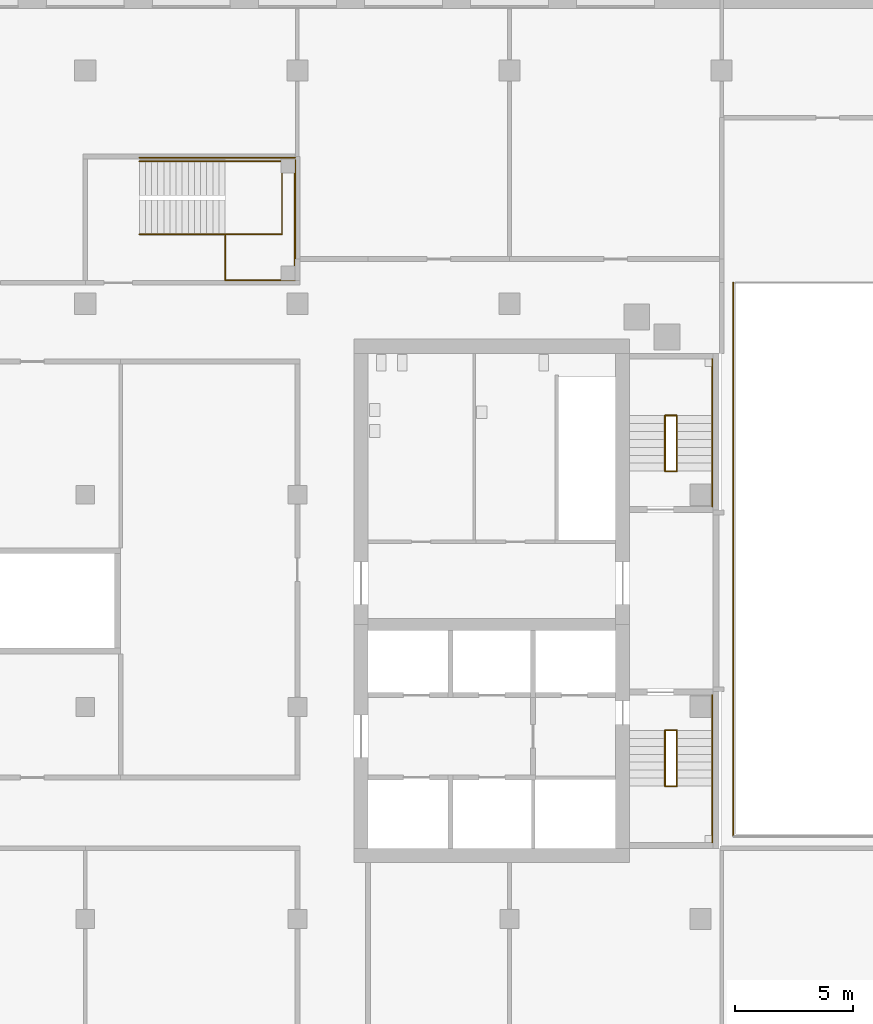
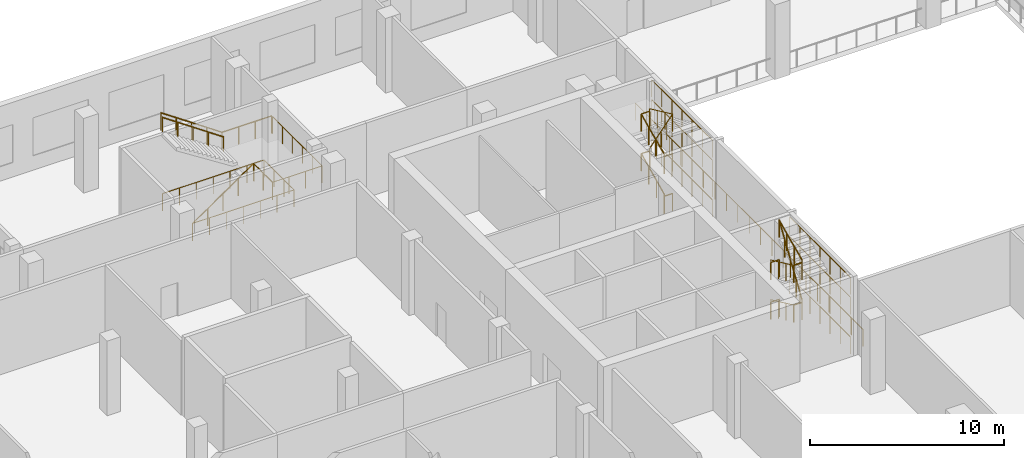
# One storey, part 18 of 21: 31 railings.
"""IFC4 building model written with IfcOpenShell, lengths in metres."""

from ifc_helpers import new_model, si_unit, direction, frame, origin, origin_2d, place, context, subcontext, project, spatial, circle, extrude, material, type_object, element, save


model = new_model("IFC4")

# Units and contexts
model_context = context("Model", 3, precision=1e-05, world=origin(), true_north=direction((0.0, 1.0)))
body_context = subcontext(model_context, "Body", "Model", "MODEL_VIEW")
ifc_project = project(units=[si_unit("LENGTHUNIT", "METRE"), si_unit("AREAUNIT", "SQUARE_METRE"), si_unit("VOLUMEUNIT", "CUBIC_METRE"), si_unit("PLANEANGLEUNIT", "RADIAN"), si_unit("MASSUNIT", "GRAM", prefix="KILO")], contexts=[model_context])

# Site, building, storey
site_placement = place(None, origin())
site = spatial("IfcSite", under=ifc_project, at=site_placement, CompositionType="ELEMENT")
building_placement = place(site_placement, origin())
building = spatial("IfcBuilding", under=site, at=building_placement, Name="Cinnabar Reach Civic Tower", CompositionType="ELEMENT")
storey_placement = place(building_placement, frame((0.0, 0.0, 16.0)))
storey = spatial("IfcBuildingStorey", under=building, at=storey_placement, Name="L03", CompositionType="ELEMENT", Elevation=16.0)

# Railings
ifc_material_1 = material(Name="Stainless steel and glass", Category="steel")
railing_type_1 = type_object("IfcRailingType", Name="Podium guard 1100", PredefinedType="GUARDRAIL", material=ifc_material_1)
railing_1_placement = place(storey_placement, frame((-51.7, 47.05, 0.0)))
element("IfcRailing", 1, at=railing_1_placement, inside=storey, type_object=railing_type_1, Name="Stair guard PS7 L03", PredefinedType="GUARDRAIL", context=body_context, shape_type="SweptSolid", body=[
    extrude(circle(Radius=0.024, at=origin_2d()), frame((0.0, 0.0, 1.076), z_axis=(0.824306135323, 0.0, 0.566144323711), x_axis=(0.0, 1.0, 0.0)), (0.0, 0.0, 1.0), 4.4158),
    extrude(circle(Radius=0.021, at=origin_2d()), origin(), (0.0, 0.0, 1.0), 1.052),
    extrude(circle(Radius=0.021, at=origin_2d()), frame((0.91, 0.0, 0.625)), (0.0, 0.0, 1.0), 1.052),
    extrude(circle(Radius=0.021, at=origin_2d()), frame((1.82, 0.0, 1.25)), (0.0, 0.0, 1.0), 1.052),
    extrude(circle(Radius=0.021, at=origin_2d()), frame((2.73, 0.0, 1.875)), (0.0, 0.0, 1.0), 1.052),
    extrude(circle(Radius=0.021, at=origin_2d()), frame((3.64, 0.0, 2.5)), (0.0, 0.0, 1.0), 1.052),
])
railing_2_placement = place(storey_placement, frame((-48.06, 45.1, 2.5)))
element("IfcRailing", 2, at=railing_2_placement, inside=storey, type_object=railing_type_1, Name="Landing guard PS7 L03", PredefinedType="GUARDRAIL", context=body_context, shape_type="SweptSolid", body=[
    extrude(circle(Radius=0.024, at=origin_2d()), frame((0.0, 0.0, 1.076), z_axis=(1.0, 0.0, 0.0), x_axis=(0.0, 1.0, 0.0)), (0.0, 0.0, 1.0), 2.96),
    extrude(circle(Radius=0.024, at=origin_2d()), frame((2.96, 0.0, 1.076), z_axis=(0.0, 1.0, 0.0), x_axis=(-1.0, 0.0, 0.0)), (0.0, 0.0, 1.0), 5.1),
    extrude(circle(Radius=0.021, at=origin_2d()), origin(), (0.0, 0.0, 1.0), 1.052),
    extrude(circle(Radius=0.021, at=origin_2d()), frame((0.9867, 0.0, 0.0)), (0.0, 0.0, 1.0), 1.052),
    extrude(circle(Radius=0.021, at=origin_2d()), frame((1.9733, 0.0, 0.0)), (0.0, 0.0, 1.0), 1.052),
    extrude(circle(Radius=0.021, at=origin_2d()), frame((2.96, 0.0, 0.0)), (0.0, 0.0, 1.0), 1.052),
    extrude(circle(Radius=0.021, at=origin_2d()), frame((2.96, 1.02, 0.0)), (0.0, 0.0, 1.0), 1.052),
    extrude(circle(Radius=0.021, at=origin_2d()), frame((2.96, 2.04, 0.0)), (0.0, 0.0, 1.0), 1.052),
    extrude(circle(Radius=0.021, at=origin_2d()), frame((2.96, 3.06, 0.0)), (0.0, 0.0, 1.0), 1.052),
    extrude(circle(Radius=0.021, at=origin_2d()), frame((2.96, 4.08, 0.0)), (0.0, 0.0, 1.0), 1.052),
    extrude(circle(Radius=0.021, at=origin_2d()), frame((2.96, 5.1, 0.0)), (0.0, 0.0, 1.0), 1.052),
])
railing_3_placement = place(storey_placement, frame((-48.06, 45.1, 2.5)))
element("IfcRailing", 3, at=railing_3_placement, inside=storey, type_object=railing_type_1, Name="Landing guard PS7 L03 inner", PredefinedType="GUARDRAIL", context=body_context, shape_type="SweptSolid", body=[
    extrude(circle(Radius=0.024, at=origin_2d()), frame((0.0, 0.0, 1.076), z_axis=(0.0, 1.0, 0.0), x_axis=(-1.0, 0.0, 0.0)), (0.0, 0.0, 1.0), 1.9),
    extrude(circle(Radius=0.021, at=origin_2d()), origin(), (0.0, 0.0, 1.0), 1.052),
    extrude(circle(Radius=0.021, at=origin_2d()), frame((0.0, 0.95, 0.0)), (0.0, 0.0, 1.0), 1.052),
    extrude(circle(Radius=0.021, at=origin_2d()), frame((0.0, 1.9, 0.0)), (0.0, 0.0, 1.0), 1.052),
])
railing_4_placement = place(storey_placement, frame((-45.1, 50.3, 2.5)))
element("IfcRailing", 4, at=railing_4_placement, inside=storey, type_object=railing_type_1, Name="Stair wall side guard PS7 L03", PredefinedType="GUARDRAIL", context=body_context, shape_type="SweptSolid", body=[
    extrude(circle(Radius=0.024, at=origin_2d()), frame((0.0, 0.0, 1.076), z_axis=(-1.0, 0.0, 0.0), x_axis=(0.0, -1.0, 0.0)), (0.0, 0.0, 1.0), 2.96),
    extrude(circle(Radius=0.024, at=origin_2d()), frame((-2.96, 0.0, 1.076), z_axis=(-0.824306135323, 0.0, 0.566144323711), x_axis=(0.0, -1.0, 0.0)), (0.0, 0.0, 1.0), 4.4158),
    extrude(circle(Radius=0.021, at=origin_2d()), origin(), (0.0, 0.0, 1.0), 1.052),
    extrude(circle(Radius=0.021, at=origin_2d()), frame((-0.9867, 0.0, 0.0)), (0.0, 0.0, 1.0), 1.052),
    extrude(circle(Radius=0.021, at=origin_2d()), frame((-1.9733, 0.0, 0.0)), (0.0, 0.0, 1.0), 1.052),
    extrude(circle(Radius=0.021, at=origin_2d()), frame((-2.96, 0.0, 0.0)), (0.0, 0.0, 1.0), 1.052),
    extrude(circle(Radius=0.021, at=origin_2d()), frame((-3.87, 0.0, 0.625)), (0.0, 0.0, 1.0), 1.052),
    extrude(circle(Radius=0.021, at=origin_2d()), frame((-4.78, 0.0, 1.25)), (0.0, 0.0, 1.0), 1.052),
    extrude(circle(Radius=0.021, at=origin_2d()), frame((-5.69, 0.0, 1.875)), (0.0, 0.0, 1.0), 1.052),
    extrude(circle(Radius=0.021, at=origin_2d()), frame((-6.6, 0.0, 2.5)), (0.0, 0.0, 1.0), 1.052),
])
railing_5_placement = place(storey_placement, frame((-51.7, 47.05, 0.0)))
element("IfcRailing", 5, at=railing_5_placement, inside=storey, type_object=railing_type_1, Name="Stair well guard PS7 L03", PredefinedType="GUARDRAIL", context=body_context, shape_type="SweptSolid", body=[
    extrude(circle(Radius=0.024, at=origin_2d()), frame((0.0, 0.0, 1.076), z_axis=(1.0, 0.0, 0.0), x_axis=(0.0, 1.0, 0.0)), (0.0, 0.0, 1.0), 6.05),
    extrude(circle(Radius=0.024, at=origin_2d()), frame((6.05, 0.0, 1.076), z_axis=(0.0, 1.0, 0.0), x_axis=(-1.0, 0.0, 0.0)), (0.0, 0.0, 1.0), 3.1),
    extrude(circle(Radius=0.024, at=origin_2d()), frame((6.05, 3.1, 1.076), z_axis=(-1.0, 0.0, 0.0), x_axis=(0.0, -1.0, 0.0)), (0.0, 0.0, 1.0), 6.05),
    extrude(circle(Radius=0.021, at=origin_2d()), origin(), (0.0, 0.0, 1.0), 1.052),
    extrude(circle(Radius=0.021, at=origin_2d()), frame((1.0083, 0.0, 0.0)), (0.0, 0.0, 1.0), 1.052),
    extrude(circle(Radius=0.021, at=origin_2d()), frame((2.0167, 0.0, 0.0)), (0.0, 0.0, 1.0), 1.052),
    extrude(circle(Radius=0.021, at=origin_2d()), frame((3.025, 0.0, 0.0)), (0.0, 0.0, 1.0), 1.052),
    extrude(circle(Radius=0.021, at=origin_2d()), frame((4.0333, 0.0, 0.0)), (0.0, 0.0, 1.0), 1.052),
    extrude(circle(Radius=0.021, at=origin_2d()), frame((5.0417, 0.0, 0.0)), (0.0, 0.0, 1.0), 1.052),
    extrude(circle(Radius=0.021, at=origin_2d()), frame((6.05, 0.0, 0.0)), (0.0, 0.0, 1.0), 1.052),
    extrude(circle(Radius=0.021, at=origin_2d()), frame((6.05, 1.0333, 0.0)), (0.0, 0.0, 1.0), 1.052),
    extrude(circle(Radius=0.021, at=origin_2d()), frame((6.05, 2.0667, 0.0)), (0.0, 0.0, 1.0), 1.052),
    extrude(circle(Radius=0.021, at=origin_2d()), frame((6.05, 3.1, 0.0)), (0.0, 0.0, 1.0), 1.052),
    extrude(circle(Radius=0.021, at=origin_2d()), frame((5.0417, 3.1, 0.0)), (0.0, 0.0, 1.0), 1.052),
    extrude(circle(Radius=0.021, at=origin_2d()), frame((4.0333, 3.1, 0.0)), (0.0, 0.0, 1.0), 1.052),
    extrude(circle(Radius=0.021, at=origin_2d()), frame((3.025, 3.1, 0.0)), (0.0, 0.0, 1.0), 1.052),
    extrude(circle(Radius=0.021, at=origin_2d()), frame((2.0167, 3.1, 0.0)), (0.0, 0.0, 1.0), 1.052),
    extrude(circle(Radius=0.021, at=origin_2d()), frame((1.0083, 3.1, 0.0)), (0.0, 0.0, 1.0), 1.052),
    extrude(circle(Radius=0.021, at=origin_2d()), frame((0.0, 3.1, 0.0)), (0.0, 0.0, 1.0), 1.052),
])
railing_6_placement = place(storey_placement, frame((-26.5, 21.5, 0.0)))
element("IfcRailing", 6, at=railing_6_placement, inside=storey, type_object=railing_type_1, Name="Opening guard L03 cv-w", PredefinedType="GUARDRAIL", context=body_context, shape_type="SweptSolid", body=[
    extrude(circle(Radius=0.024, at=origin_2d()), frame((0.0, 0.0, 1.076), z_axis=(0.0, 1.0, 0.0), x_axis=(-1.0, 0.0, 0.0)), (0.0, 0.0, 1.0), 23.5),
    extrude(circle(Radius=0.021, at=origin_2d()), origin(), (0.0, 0.0, 1.0), 1.052),
    extrude(circle(Radius=0.021, at=origin_2d()), frame((0.0, 1.175, 0.0)), (0.0, 0.0, 1.0), 1.052),
    extrude(circle(Radius=0.021, at=origin_2d()), frame((0.0, 2.35, 0.0)), (0.0, 0.0, 1.0), 1.052),
    extrude(circle(Radius=0.021, at=origin_2d()), frame((0.0, 3.525, 0.0)), (0.0, 0.0, 1.0), 1.052),
    extrude(circle(Radius=0.021, at=origin_2d()), frame((0.0, 4.7, 0.0)), (0.0, 0.0, 1.0), 1.052),
    extrude(circle(Radius=0.021, at=origin_2d()), frame((0.0, 5.875, 0.0)), (0.0, 0.0, 1.0), 1.052),
    extrude(circle(Radius=0.021, at=origin_2d()), frame((0.0, 7.05, 0.0)), (0.0, 0.0, 1.0), 1.052),
    extrude(circle(Radius=0.021, at=origin_2d()), frame((0.0, 8.225, 0.0)), (0.0, 0.0, 1.0), 1.052),
    extrude(circle(Radius=0.021, at=origin_2d()), frame((0.0, 9.4, 0.0)), (0.0, 0.0, 1.0), 1.052),
    extrude(circle(Radius=0.021, at=origin_2d()), frame((0.0, 10.575, 0.0)), (0.0, 0.0, 1.0), 1.052),
    extrude(circle(Radius=0.021, at=origin_2d()), frame((0.0, 11.75, 0.0)), (0.0, 0.0, 1.0), 1.052),
    extrude(circle(Radius=0.021, at=origin_2d()), frame((0.0, 12.925, 0.0)), (0.0, 0.0, 1.0), 1.052),
    extrude(circle(Radius=0.021, at=origin_2d()), frame((0.0, 14.1, 0.0)), (0.0, 0.0, 1.0), 1.052),
    extrude(circle(Radius=0.021, at=origin_2d()), frame((0.0, 15.275, 0.0)), (0.0, 0.0, 1.0), 1.052),
    extrude(circle(Radius=0.021, at=origin_2d()), frame((0.0, 16.45, 0.0)), (0.0, 0.0, 1.0), 1.052),
    extrude(circle(Radius=0.021, at=origin_2d()), frame((0.0, 17.625, 0.0)), (0.0, 0.0, 1.0), 1.052),
    extrude(circle(Radius=0.021, at=origin_2d()), frame((0.0, 18.8, 0.0)), (0.0, 0.0, 1.0), 1.052),
    extrude(circle(Radius=0.021, at=origin_2d()), frame((0.0, 19.975, 0.0)), (0.0, 0.0, 1.0), 1.052),
    extrude(circle(Radius=0.021, at=origin_2d()), frame((0.0, 21.15, 0.0)), (0.0, 0.0, 1.0), 1.052),
    extrude(circle(Radius=0.021, at=origin_2d()), frame((0.0, 22.325, 0.0)), (0.0, 0.0, 1.0), 1.052),
    extrude(circle(Radius=0.021, at=origin_2d()), frame((0.0, 23.5, 0.0)), (0.0, 0.0, 1.0), 1.052),
])
ifc_material_2 = material(Name="Stainless steel", Category="steel")
railing_type_2 = type_object("IfcRailingType", Name="Podium stair handrail 900", PredefinedType="HANDRAIL", material=ifc_material_2)
railing_7_placement = place(storey_placement, frame((-48.06, 50.15, 2.5)))
element("IfcRailing", 7, at=railing_7_placement, inside=storey, type_object=railing_type_2, Name="Stair handrail PS7 L03", PredefinedType="HANDRAIL", context=body_context, shape_type="SweptSolid", body=[
    extrude(circle(Radius=0.024, at=origin_2d()), frame((0.0, 0.0, 0.876), z_axis=(-0.824306135323, 0.0, 0.566144323711), x_axis=(0.0, -1.0, 0.0)), (0.0, 0.0, 1.0), 4.4158),
    extrude(circle(Radius=0.021, at=origin_2d()), origin(), (0.0, 0.0, 1.0), 0.852),
    extrude(circle(Radius=0.021, at=origin_2d()), frame((-0.91, 0.0, 0.625)), (0.0, 0.0, 1.0), 0.852),
    extrude(circle(Radius=0.021, at=origin_2d()), frame((-1.82, 0.0, 1.25)), (0.0, 0.0, 1.0), 0.852),
    extrude(circle(Radius=0.021, at=origin_2d()), frame((-2.73, 0.0, 1.875)), (0.0, 0.0, 1.0), 0.852),
    extrude(circle(Radius=0.021, at=origin_2d()), frame((-3.64, 0.0, 2.5)), (0.0, 0.0, 1.0), 0.852),
])
railing_type_3 = type_object("IfcRailingType", Name="T2 Stair guard 1100", PredefinedType="GUARDRAIL", material=ifc_material_2)
for number, where, name in (
    (8, (-27.4, 21.25, 0.0), "Stair guard 1"),
    (9, (-27.4, 21.25, 1.25), "Stair guard 1"),
    (10, (-27.4, 21.25, 3.75), "Stair guard 1"),
    (11, (-27.4, 21.25, 2.5), "Stair guard 1"),
):
    element("IfcRailing", number, at=place(storey_placement, frame(where)), inside=storey, type_object=railing_type_3, Name=name, PredefinedType="GUARDRAIL", context=body_context, shape_type="SweptSolid", body=[
        extrude(circle(Radius=0.024, at=origin_2d()), frame((0.0, 0.0, 1.076), z_axis=(0.0, 1.0, 0.0), x_axis=(-1.0, 0.0, 0.0)), (0.0, 0.0, 1.0), 6.25),
        extrude(circle(Radius=0.021, at=origin_2d()), origin(), (0.0, 0.0, 1.0), 1.052),
        extrude(circle(Radius=0.021, at=origin_2d()), frame((0.0, 1.0417, 0.0)), (0.0, 0.0, 1.0), 1.052),
        extrude(circle(Radius=0.021, at=origin_2d()), frame((0.0, 2.0833, 0.0)), (0.0, 0.0, 1.0), 1.052),
        extrude(circle(Radius=0.021, at=origin_2d()), frame((0.0, 3.125, 0.0)), (0.0, 0.0, 1.0), 1.052),
        extrude(circle(Radius=0.021, at=origin_2d()), frame((0.0, 4.1667, 0.0)), (0.0, 0.0, 1.0), 1.052),
        extrude(circle(Radius=0.021, at=origin_2d()), frame((0.0, 5.2083, 0.0)), (0.0, 0.0, 1.0), 1.052),
        extrude(circle(Radius=0.021, at=origin_2d()), frame((0.0, 6.25, 0.0)), (0.0, 0.0, 1.0), 1.052),
    ])
for number, where, name in (
    (12, (-29.4, 26.0, 0.0), "Stair guard 1"),
    (13, (-29.4, 23.6375, 1.25), "Stair guard 1"),
):
    element("IfcRailing", number, at=place(storey_placement, frame(where)), inside=storey, type_object=railing_type_3, Name=name, PredefinedType="GUARDRAIL", context=body_context, shape_type="SweptSolid", body=[
        extrude(circle(Radius=0.024, at=origin_2d()), frame((0.0, 0.0, 1.076), z_axis=(1.0, 0.0, 0.0), x_axis=(0.0, 1.0, 0.0)), (0.0, 0.0, 1.0), 0.5),
        extrude(circle(Radius=0.021, at=origin_2d()), origin(), (0.0, 0.0, 1.0), 1.052),
        extrude(circle(Radius=0.021, at=origin_2d()), frame((0.5, 0.0, 0.0)), (0.0, 0.0, 1.0), 1.052),
    ])
railing_8_placement = place(storey_placement, frame((-29.4, 26.0, 0.1562)))
element("IfcRailing", 14, at=railing_8_placement, inside=storey, type_object=railing_type_3, Name="Stair guard 1", PredefinedType="GUARDRAIL", context=body_context, shape_type="SweptSolid", body=[
    extrude(circle(Radius=0.024, at=origin_2d()), frame((0.0, 0.0, 1.076), z_axis=(0.0, -0.907459584921, 0.420139383698), x_axis=(1.0, 0.0, 0.0)), (0.0, 0.0, 1.0), 2.6034),
    extrude(circle(Radius=0.021, at=origin_2d()), origin(), (0.0, 0.0, 1.0), 1.052),
    extrude(circle(Radius=0.021, at=origin_2d()), frame((0.0, -0.7875, 0.3646)), (0.0, 0.0, 1.0), 1.052),
    extrude(circle(Radius=0.021, at=origin_2d()), frame((0.0, -1.575, 0.7292)), (0.0, 0.0, 1.0), 1.052),
    extrude(circle(Radius=0.021, at=origin_2d()), frame((0.0, -2.3625, 1.0938)), (0.0, 0.0, 1.0), 1.052),
])
railing_9_placement = place(storey_placement, frame((-28.9, 23.6375, 1.4062)))
element("IfcRailing", 15, at=railing_9_placement, inside=storey, type_object=railing_type_3, Name="Stair guard 1", PredefinedType="GUARDRAIL", context=body_context, shape_type="SweptSolid", body=[
    extrude(circle(Radius=0.024, at=origin_2d()), frame((0.0, 0.0, 1.076), z_axis=(0.0, 0.549317534027, 0.835613694724), x_axis=(-1.0, 0.0, 0.0)), (0.0, 0.0, 1.0), 4.3008),
    extrude(circle(Radius=0.021, at=origin_2d()), origin(), (0.0, 0.0, 1.0), 1.052),
    extrude(circle(Radius=0.021, at=origin_2d()), frame((0.0, 0.5906, 0.8985)), (0.0, 0.0, 1.0), 1.052),
    extrude(circle(Radius=0.021, at=origin_2d()), frame((0.0, 1.1813, 1.7969)), (0.0, 0.0, 1.0), 1.052),
    extrude(circle(Radius=0.021, at=origin_2d()), frame((0.0, 1.7719, 2.6954)), (0.0, 0.0, 1.0), 1.052),
    extrude(circle(Radius=0.021, at=origin_2d()), frame((0.0, 2.3625, 3.5938)), (0.0, 0.0, 1.0), 1.052),
])
for number, where, name in (
    (16, (-29.4, 26.0, 2.5), "Stair guard 1"),
    (17, (-29.4, 23.6375, 3.75), "Stair guard 1"),
):
    element("IfcRailing", number, at=place(storey_placement, frame(where)), inside=storey, type_object=railing_type_3, Name=name, PredefinedType="GUARDRAIL", context=body_context, shape_type="SweptSolid", body=[
        extrude(circle(Radius=0.024, at=origin_2d()), frame((0.0, 0.0, 1.076), z_axis=(1.0, 0.0, 0.0), x_axis=(0.0, 1.0, 0.0)), (0.0, 0.0, 1.0), 0.5),
        extrude(circle(Radius=0.021, at=origin_2d()), origin(), (0.0, 0.0, 1.0), 1.052),
        extrude(circle(Radius=0.021, at=origin_2d()), frame((0.5, 0.0, 0.0)), (0.0, 0.0, 1.0), 1.052),
    ])
railing_10_placement = place(storey_placement, frame((-29.4, 26.0, 2.6562)))
element("IfcRailing", 18, at=railing_10_placement, inside=storey, type_object=railing_type_3, Name="Stair guard 1", PredefinedType="GUARDRAIL", context=body_context, shape_type="SweptSolid", body=[
    extrude(circle(Radius=0.024, at=origin_2d()), frame((0.0, 0.0, 1.076), z_axis=(0.0, -0.907459584921, 0.420139383698), x_axis=(1.0, 0.0, 0.0)), (0.0, 0.0, 1.0), 2.6034),
    extrude(circle(Radius=0.021, at=origin_2d()), origin(), (0.0, 0.0, 1.0), 1.052),
    extrude(circle(Radius=0.021, at=origin_2d()), frame((0.0, -0.7875, 0.3646)), (0.0, 0.0, 1.0), 1.052),
    extrude(circle(Radius=0.021, at=origin_2d()), frame((0.0, -1.575, 0.7292)), (0.0, 0.0, 1.0), 1.052),
    extrude(circle(Radius=0.021, at=origin_2d()), frame((0.0, -2.3625, 1.0938)), (0.0, 0.0, 1.0), 1.052),
])
railing_11_placement = place(storey_placement, frame((-28.9, 23.6375, 3.9062)))
element("IfcRailing", 19, at=railing_11_placement, inside=storey, type_object=railing_type_3, Name="Stair guard 1", PredefinedType="GUARDRAIL", context=body_context, shape_type="SweptSolid", body=[
    extrude(circle(Radius=0.024, at=origin_2d()), frame((0.0, 0.0, 1.076), z_axis=(0.0, 0.907459584921, 0.420139383698), x_axis=(-1.0, 0.0, 0.0)), (0.0, 0.0, 1.0), 2.6034),
    extrude(circle(Radius=0.021, at=origin_2d()), origin(), (0.0, 0.0, 1.0), 1.052),
    extrude(circle(Radius=0.021, at=origin_2d()), frame((0.0, 0.7875, 0.3646)), (0.0, 0.0, 1.0), 1.052),
    extrude(circle(Radius=0.021, at=origin_2d()), frame((0.0, 1.575, 0.7292)), (0.0, 0.0, 1.0), 1.052),
    extrude(circle(Radius=0.021, at=origin_2d()), frame((0.0, 2.3625, 1.0938)), (0.0, 0.0, 1.0), 1.052),
])
for number, where, name in (
    (20, (-27.4, 35.5, 0.0), "Stair guard 2"),
    (21, (-27.4, 35.5, 1.25), "Stair guard 2"),
    (22, (-27.4, 35.5, 3.75), "Stair guard 2"),
    (23, (-27.4, 35.5, 2.5), "Stair guard 2"),
):
    element("IfcRailing", number, at=place(storey_placement, frame(where)), inside=storey, type_object=railing_type_3, Name=name, PredefinedType="GUARDRAIL", context=body_context, shape_type="SweptSolid", body=[
        extrude(circle(Radius=0.024, at=origin_2d()), frame((0.0, 0.0, 1.076), z_axis=(0.0, 1.0, 0.0), x_axis=(-1.0, 0.0, 0.0)), (0.0, 0.0, 1.0), 6.25),
        extrude(circle(Radius=0.021, at=origin_2d()), origin(), (0.0, 0.0, 1.0), 1.052),
        extrude(circle(Radius=0.021, at=origin_2d()), frame((0.0, 1.0417, 0.0)), (0.0, 0.0, 1.0), 1.052),
        extrude(circle(Radius=0.021, at=origin_2d()), frame((0.0, 2.0833, 0.0)), (0.0, 0.0, 1.0), 1.052),
        extrude(circle(Radius=0.021, at=origin_2d()), frame((0.0, 3.125, 0.0)), (0.0, 0.0, 1.0), 1.052),
        extrude(circle(Radius=0.021, at=origin_2d()), frame((0.0, 4.1667, 0.0)), (0.0, 0.0, 1.0), 1.052),
        extrude(circle(Radius=0.021, at=origin_2d()), frame((0.0, 5.2083, 0.0)), (0.0, 0.0, 1.0), 1.052),
        extrude(circle(Radius=0.021, at=origin_2d()), frame((0.0, 6.25, 0.0)), (0.0, 0.0, 1.0), 1.052),
    ])
for number, where, name in (
    (24, (-29.4, 37.0, 0.0), "Stair guard 2"),
    (25, (-29.4, 39.3625, 1.25), "Stair guard 2"),
):
    element("IfcRailing", number, at=place(storey_placement, frame(where)), inside=storey, type_object=railing_type_3, Name=name, PredefinedType="GUARDRAIL", context=body_context, shape_type="SweptSolid", body=[
        extrude(circle(Radius=0.024, at=origin_2d()), frame((0.0, 0.0, 1.076), z_axis=(1.0, 0.0, 0.0), x_axis=(0.0, 1.0, 0.0)), (0.0, 0.0, 1.0), 0.5),
        extrude(circle(Radius=0.021, at=origin_2d()), origin(), (0.0, 0.0, 1.0), 1.052),
        extrude(circle(Radius=0.021, at=origin_2d()), frame((0.5, 0.0, 0.0)), (0.0, 0.0, 1.0), 1.052),
    ])
railing_12_placement = place(storey_placement, frame((-29.4, 37.0, 0.1562)))
element("IfcRailing", 26, at=railing_12_placement, inside=storey, type_object=railing_type_3, Name="Stair guard 2", PredefinedType="GUARDRAIL", context=body_context, shape_type="SweptSolid", body=[
    extrude(circle(Radius=0.024, at=origin_2d()), frame((0.0, 0.0, 1.076), z_axis=(0.0, 0.907459584921, 0.420139383698), x_axis=(-1.0, 0.0, 0.0)), (0.0, 0.0, 1.0), 2.6034),
    extrude(circle(Radius=0.021, at=origin_2d()), origin(), (0.0, 0.0, 1.0), 1.052),
    extrude(circle(Radius=0.021, at=origin_2d()), frame((0.0, 0.7875, 0.3646)), (0.0, 0.0, 1.0), 1.052),
    extrude(circle(Radius=0.021, at=origin_2d()), frame((0.0, 1.575, 0.7292)), (0.0, 0.0, 1.0), 1.052),
    extrude(circle(Radius=0.021, at=origin_2d()), frame((0.0, 2.3625, 1.0938)), (0.0, 0.0, 1.0), 1.052),
])
railing_13_placement = place(storey_placement, frame((-28.9, 39.3625, 1.4062)))
element("IfcRailing", 27, at=railing_13_placement, inside=storey, type_object=railing_type_3, Name="Stair guard 2", PredefinedType="GUARDRAIL", context=body_context, shape_type="SweptSolid", body=[
    extrude(circle(Radius=0.024, at=origin_2d()), frame((0.0, 0.0, 1.076), z_axis=(0.0, -0.549317534027, 0.835613694724), x_axis=(1.0, 0.0, 0.0)), (0.0, 0.0, 1.0), 4.3008),
    extrude(circle(Radius=0.021, at=origin_2d()), origin(), (0.0, 0.0, 1.0), 1.052),
    extrude(circle(Radius=0.021, at=origin_2d()), frame((0.0, -0.5906, 0.8985)), (0.0, 0.0, 1.0), 1.052),
    extrude(circle(Radius=0.021, at=origin_2d()), frame((0.0, -1.1812, 1.7969)), (0.0, 0.0, 1.0), 1.052),
    extrude(circle(Radius=0.021, at=origin_2d()), frame((0.0, -1.7719, 2.6954)), (0.0, 0.0, 1.0), 1.052),
    extrude(circle(Radius=0.021, at=origin_2d()), frame((0.0, -2.3625, 3.5938)), (0.0, 0.0, 1.0), 1.052),
])
for number, where, name in (
    (28, (-29.4, 37.0, 2.5), "Stair guard 2"),
    (29, (-29.4, 39.3625, 3.75), "Stair guard 2"),
):
    element("IfcRailing", number, at=place(storey_placement, frame(where)), inside=storey, type_object=railing_type_3, Name=name, PredefinedType="GUARDRAIL", context=body_context, shape_type="SweptSolid", body=[
        extrude(circle(Radius=0.024, at=origin_2d()), frame((0.0, 0.0, 1.076), z_axis=(1.0, 0.0, 0.0), x_axis=(0.0, 1.0, 0.0)), (0.0, 0.0, 1.0), 0.5),
        extrude(circle(Radius=0.021, at=origin_2d()), origin(), (0.0, 0.0, 1.0), 1.052),
        extrude(circle(Radius=0.021, at=origin_2d()), frame((0.5, 0.0, 0.0)), (0.0, 0.0, 1.0), 1.052),
    ])
railing_14_placement = place(storey_placement, frame((-29.4, 37.0, 2.6562)))
element("IfcRailing", 30, at=railing_14_placement, inside=storey, type_object=railing_type_3, Name="Stair guard 2", PredefinedType="GUARDRAIL", context=body_context, shape_type="SweptSolid", body=[
    extrude(circle(Radius=0.024, at=origin_2d()), frame((0.0, 0.0, 1.076), z_axis=(0.0, 0.907459584921, 0.420139383698), x_axis=(-1.0, 0.0, 0.0)), (0.0, 0.0, 1.0), 2.6034),
    extrude(circle(Radius=0.021, at=origin_2d()), origin(), (0.0, 0.0, 1.0), 1.052),
    extrude(circle(Radius=0.021, at=origin_2d()), frame((0.0, 0.7875, 0.3646)), (0.0, 0.0, 1.0), 1.052),
    extrude(circle(Radius=0.021, at=origin_2d()), frame((0.0, 1.575, 0.7292)), (0.0, 0.0, 1.0), 1.052),
    extrude(circle(Radius=0.021, at=origin_2d()), frame((0.0, 2.3625, 1.0938)), (0.0, 0.0, 1.0), 1.052),
])
railing_15_placement = place(storey_placement, frame((-28.9, 39.3625, 3.9062)))
element("IfcRailing", 31, at=railing_15_placement, inside=storey, type_object=railing_type_3, Name="Stair guard 2", PredefinedType="GUARDRAIL", context=body_context, shape_type="SweptSolid", body=[
    extrude(circle(Radius=0.024, at=origin_2d()), frame((0.0, 0.0, 1.076), z_axis=(0.0, -0.907459584921, 0.420139383698), x_axis=(1.0, 0.0, 0.0)), (0.0, 0.0, 1.0), 2.6034),
    extrude(circle(Radius=0.021, at=origin_2d()), origin(), (0.0, 0.0, 1.0), 1.052),
    extrude(circle(Radius=0.021, at=origin_2d()), frame((0.0, -0.7875, 0.3646)), (0.0, 0.0, 1.0), 1.052),
    extrude(circle(Radius=0.021, at=origin_2d()), frame((0.0, -1.575, 0.7292)), (0.0, 0.0, 1.0), 1.052),
    extrude(circle(Radius=0.021, at=origin_2d()), frame((0.0, -2.3625, 1.0938)), (0.0, 0.0, 1.0), 1.052),
])

save(model, "model.ifc")
